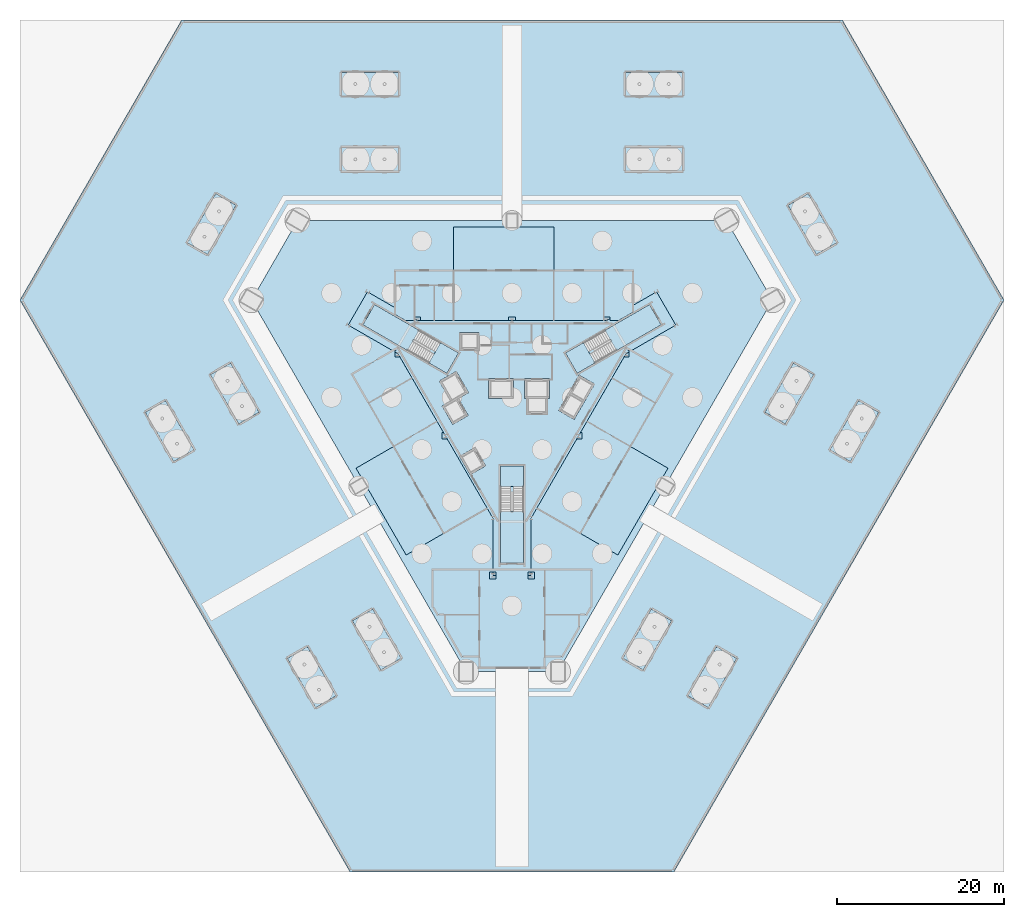
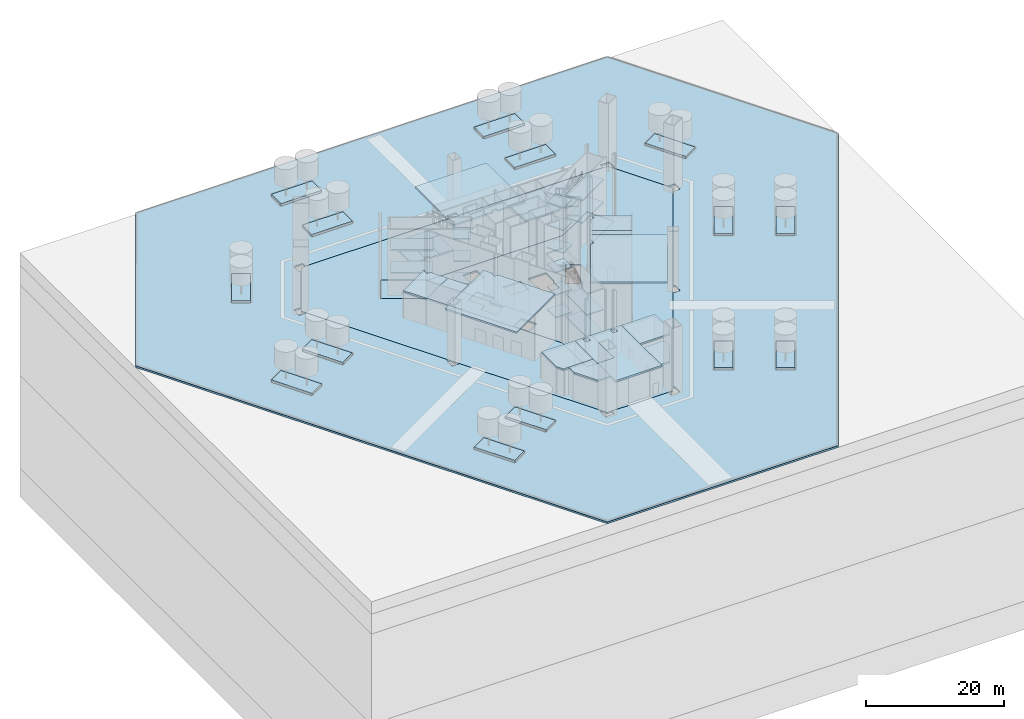
# One storey, part 3 of 22: 50 slabs, 3 elements without a shape of their own.
"""IFC4 building model written with IfcOpenShell, lengths in metres."""

from ifc_helpers import new_model, si_unit, direction, frame, origin, place, context, subcontext, project, spatial, polyline, outline, extrude, material, layer, layer_set, type_object, element, aggregate, save


model = new_model("IFC4")

# Units and contexts
model_context = context("Model", 3, precision=1e-05, world=origin(), true_north=direction((0.0, 1.0)))
body_context = subcontext(model_context, "Body", "Model", "MODEL_VIEW")
ifc_project = project(units=[si_unit("LENGTHUNIT", "METRE"), si_unit("AREAUNIT", "SQUARE_METRE"), si_unit("VOLUMEUNIT", "CUBIC_METRE"), si_unit("PLANEANGLEUNIT", "RADIAN"), si_unit("MASSUNIT", "GRAM", prefix="KILO")], contexts=[model_context])

# Site, building, storey
site_placement = place(None, origin())
site = spatial("IfcSite", under=ifc_project, at=site_placement, CompositionType="ELEMENT")
building_placement = place(site_placement, origin())
building = spatial("IfcBuilding", under=site, at=building_placement, Name="Verrane Prism Tower", CompositionType="ELEMENT")
storey_placement = place(building_placement, origin())
storey = spatial("IfcBuildingStorey", under=building, at=storey_placement, Name="L00", CompositionType="ELEMENT", Elevation=0.0)

# Slabs
ifc_material_1 = material(Name="Concrete C40/50", Category="concrete")
ifc_layer_1 = layer(ifc_material_1, 0.300048828125)
ifc_layer_set_1 = layer_set([ifc_layer_1], Name="Core ground slab 300 concrete C40/50")
slab_type_1 = type_object("IfcSlabType", Name="Core ground slab 300 concrete C40/50", PredefinedType="BASESLAB", material=ifc_layer_set_1)
slab_1_placement = place(storey_placement, frame((0.0, 0.0, -0.300048828125)))
element("IfcSlab", 1, at=slab_1_placement, inside=storey, type_object=slab_type_1, Name="Core ground slab L00", PredefinedType="BASESLAB", context=body_context, shape_type="SweptSolid", body=[
    extrude(outline(polyline([(19.60009765625, 8.659912109375), (17.300048828125, 12.639892578125), (11.330078125, 9.199951171875), (0.0, 9.199951171875), (-11.330078125, 9.199951171875), (-17.300048828125, 12.639892578125), (-19.60009765625, 8.659912109375), (-13.6298828125, 5.219970703125), (-7.969970703125, -4.60009765625), (-2.300048828125, -14.419921875), (-2.300048828125, -21.300048828125), (2.300048828125, -21.300048828125), (2.300048828125, -14.419921875), (7.969970703125, -4.60009765625), (13.6298828125, 5.219970703125), (19.60009765625, 8.659912109375)]), holes=[polyline([(-4.4150390625, -5.972900390625), (-3.139892578125, -8.180908203125), (-5.001953125, -9.256103515625), (-6.277099609375, -7.048095703125), (-4.4150390625, -5.972900390625)]), polyline([(-6.284912109375, 5.610107421875), (-6.284912109375, 7.760009765625), (-3.93505859375, 7.760009765625), (-3.93505859375, 5.610107421875), (-6.284912109375, 5.610107421875)]), polyline([(4.27490234375, -2.050048828125), (1.72509765625, -2.050048828125), (1.72509765625, -0.10009765625), (1.52490234375, -0.10009765625), (1.52490234375, 2.25), (4.47509765625, 2.25), (4.47509765625, -0.10009765625), (4.27490234375, -0.10009765625), (4.27490234375, -2.050048828125)]), polyline([(7.43798828125, -2.636962890625), (5.575927734375, -1.56201171875), (8.02587890625, 2.680908203125), (9.887939453125, 1.60595703125), (7.43798828125, -2.636962890625)]), polyline([(0.1650390625, 2.25), (0.1650390625, -0.10009765625), (-2.784912109375, -0.10009765625), (-2.784912109375, 2.25), (0.1650390625, 2.25)]), polyline([(-5.23095703125, -2.159912109375), (-7.093017578125, -3.235107421875), (-8.367919921875, -1.02587890625), (-7.3291015625, -0.426025390625), (-8.7041015625, 1.955078125), (-6.66796875, 3.1298828125), (-5.193115234375, 0.574951171875), (-6.406005859375, -0.125), (-5.23095703125, -2.159912109375)])]), origin(), (0.0, 0.0, 1.0), 0.300048828125),
])
ifc_material_2 = material(Name="Concrete C35/45", Category="concrete")
ifc_layer_2 = layer(ifc_material_2, 0.300048828125)
ifc_layer_set_2 = layer_set([ifc_layer_2], Name="Ground slab")
slab_type_2 = type_object("IfcSlabType", Name="Ground slab", PredefinedType="BASESLAB", material=ifc_layer_set_2)
slab_2_placement = place(storey_placement, frame((0.0, 0.0, -0.300048828125)))
element("IfcSlab", 2, at=slab_2_placement, inside=storey, type_object=slab_type_2, Name="Ground slab L00", PredefinedType="BASESLAB", context=body_context, shape_type="SweptSolid", body=[
    extrude(outline(polyline([(5.5, -32.813720703125), (-5.5, -32.813720703125), (-31.16748046875, 11.643798828125), (-25.66748046875, 21.169921875), (25.66748046875, 21.169921875), (31.16748046875, 11.643798828125), (5.5, -32.813720703125)]), holes=[polyline([(19.60009765625, 8.659912109375), (17.300048828125, 12.639892578125), (11.330078125, 9.199951171875), (0.0, 9.199951171875), (-11.330078125, 9.199951171875), (-17.300048828125, 12.639892578125), (-19.60009765625, 8.659912109375), (-13.6298828125, 5.219970703125), (-7.969970703125, -4.60009765625), (-2.300048828125, -14.419921875), (-2.300048828125, -21.300048828125), (2.300048828125, -21.300048828125), (2.300048828125, -14.419921875), (7.969970703125, -4.60009765625), (13.6298828125, 5.219970703125), (19.60009765625, 8.659912109375)])]), origin(), (0.0, 0.0, 1.0), 0.300048828125),
])
ifc_material_3 = material(Name="Topsoil", Category="other")
ifc_layer_3 = layer(ifc_material_3, 0.39990234375)
ifc_layer_set_3 = layer_set([ifc_layer_3], Name="PS-400 planting soil bed")
slab_type_3 = type_object("IfcSlabType", Name="PS-400 planting soil bed", PredefinedType="USERDEFINED", material=ifc_layer_set_3)
slab_3_placement = place(storey_placement, origin())
element("IfcSlab", 3, at=slab_3_placement, inside=storey, type_object=slab_type_3, Name="Planting bed 1", ObjectType="PLANTING BED", PredefinedType="USERDEFINED", context=body_context, shape_type="SweptSolid", body=[
    extrude(outline(polyline([(20.39990234375, 29.89990234375), (13.60009765625, 29.89990234375), (13.60009765625, 27.10009765625), (20.39990234375, 27.10009765625), (20.39990234375, 29.89990234375)])), origin(), (0.0, 0.0, 1.0), 0.39990234375),
])
slab_4_placement = place(storey_placement, origin())
element("IfcSlab", 4, at=slab_4_placement, inside=storey, type_object=slab_type_3, Name="Planting bed 2", ObjectType="PLANTING BED", PredefinedType="USERDEFINED", context=body_context, shape_type="SweptSolid", body=[
    extrude(outline(polyline([(-13.60009765625, 29.89990234375), (-20.39990234375, 29.89990234375), (-20.39990234375, 27.10009765625), (-13.60009765625, 27.10009765625), (-13.60009765625, 29.89990234375)])), origin(), (0.0, 0.0, 1.0), 0.39990234375),
])
slab_5_placement = place(storey_placement, origin())
element("IfcSlab", 5, at=slab_5_placement, inside=storey, type_object=slab_type_3, Name="Planting bed 3", ObjectType="PLANTING BED", PredefinedType="USERDEFINED", context=body_context, shape_type="SweptSolid", body=[
    extrude(outline(polyline([(20.39990234375, 38.89990234375), (13.60009765625, 38.89990234375), (13.60009765625, 36.10009765625), (20.39990234375, 36.10009765625), (20.39990234375, 38.89990234375)])), origin(), (0.0, 0.0, 1.0), 0.39990234375),
])
slab_6_placement = place(storey_placement, origin())
element("IfcSlab", 6, at=slab_6_placement, inside=storey, type_object=slab_type_3, Name="Planting bed 4", ObjectType="PLANTING BED", PredefinedType="USERDEFINED", context=body_context, shape_type="SweptSolid", body=[
    extrude(outline(polyline([(-13.60009765625, 38.89990234375), (-20.39990234375, 38.89990234375), (-20.39990234375, 36.10009765625), (-13.60009765625, 36.10009765625), (-13.60009765625, 38.89990234375)])), origin(), (0.0, 0.0, 1.0), 0.39990234375),
])
slab_7_placement = place(storey_placement, origin())
element("IfcSlab", 7, at=slab_7_placement, inside=storey, type_object=slab_type_3, Name="Planting bed 5", ObjectType="PLANTING BED", PredefinedType="USERDEFINED", context=body_context, shape_type="SweptSolid", body=[
    extrude(outline(polyline([(-36.09423828125, 2.716796875), (-32.694091796875, -3.172119140625), (-30.269287109375, -1.772216796875), (-33.669189453125, 4.116943359375), (-36.09423828125, 2.716796875)])), origin(), (0.0, 0.0, 1.0), 0.39990234375),
])
slab_8_placement = place(storey_placement, origin())
element("IfcSlab", 8, at=slab_8_placement, inside=storey, type_object=slab_type_3, Name="Planting bed 6", ObjectType="PLANTING BED", PredefinedType="USERDEFINED", context=body_context, shape_type="SweptSolid", body=[
    extrude(outline(polyline([(-19.09423828125, -26.727783203125), (-15.694091796875, -32.616943359375), (-13.269287109375, -31.216796875), (-16.669189453125, -25.327880859375), (-19.09423828125, -26.727783203125)])), origin(), (0.0, 0.0, 1.0), 0.39990234375),
])
slab_9_placement = place(storey_placement, origin())
element("IfcSlab", 9, at=slab_9_placement, inside=storey, type_object=slab_type_3, Name="Planting bed 7", ObjectType="PLANTING BED", PredefinedType="USERDEFINED", context=body_context, shape_type="SweptSolid", body=[
    extrude(outline(polyline([(-43.888427734375, -1.783203125), (-40.48828125, -7.672119140625), (-38.0634765625, -6.272216796875), (-41.46337890625, -0.383056640625), (-43.888427734375, -1.783203125)])), origin(), (0.0, 0.0, 1.0), 0.39990234375),
])
slab_10_placement = place(storey_placement, origin())
element("IfcSlab", 10, at=slab_10_placement, inside=storey, type_object=slab_type_3, Name="Planting bed 8", ObjectType="PLANTING BED", PredefinedType="USERDEFINED", context=body_context, shape_type="SweptSolid", body=[
    extrude(outline(polyline([(-26.888427734375, -31.227783203125), (-23.48828125, -37.116943359375), (-21.0634765625, -35.716796875), (-24.46337890625, -29.827880859375), (-26.888427734375, -31.227783203125)])), origin(), (0.0, 0.0, 1.0), 0.39990234375),
])
slab_11_placement = place(storey_placement, origin())
element("IfcSlab", 11, at=slab_11_placement, inside=storey, type_object=slab_type_3, Name="Planting bed 9", ObjectType="PLANTING BED", PredefinedType="USERDEFINED", context=body_context, shape_type="SweptSolid", body=[
    extrude(outline(polyline([(15.694091796875, -32.616943359375), (19.09423828125, -26.727783203125), (16.669189453125, -25.327880859375), (13.269287109375, -31.216796875), (15.694091796875, -32.616943359375)])), origin(), (0.0, 0.0, 1.0), 0.39990234375),
])
slab_12_placement = place(storey_placement, origin())
element("IfcSlab", 12, at=slab_12_placement, inside=storey, type_object=slab_type_3, Name="Planting bed 10", ObjectType="PLANTING BED", PredefinedType="USERDEFINED", context=body_context, shape_type="SweptSolid", body=[
    extrude(outline(polyline([(32.694091796875, -3.172119140625), (36.09423828125, 2.716796875), (33.669189453125, 4.116943359375), (30.269287109375, -1.772216796875), (32.694091796875, -3.172119140625)])), origin(), (0.0, 0.0, 1.0), 0.39990234375),
])
slab_13_placement = place(storey_placement, origin())
element("IfcSlab", 13, at=slab_13_placement, inside=storey, type_object=slab_type_3, Name="Planting bed 11", ObjectType="PLANTING BED", PredefinedType="USERDEFINED", context=body_context, shape_type="SweptSolid", body=[
    extrude(outline(polyline([(23.48828125, -37.116943359375), (26.888427734375, -31.227783203125), (24.46337890625, -29.827880859375), (21.0634765625, -35.716796875), (23.48828125, -37.116943359375)])), origin(), (0.0, 0.0, 1.0), 0.39990234375),
])
slab_14_placement = place(storey_placement, origin())
element("IfcSlab", 14, at=slab_14_placement, inside=storey, type_object=slab_type_3, Name="Planting bed 12", ObjectType="PLANTING BED", PredefinedType="USERDEFINED", context=body_context, shape_type="SweptSolid", body=[
    extrude(outline(polyline([(40.48828125, -7.672119140625), (43.888427734375, -1.783203125), (41.46337890625, -0.383056640625), (38.0634765625, -6.272216796875), (40.48828125, -7.672119140625)])), origin(), (0.0, 0.0, 1.0), 0.39990234375),
])
slab_15_placement = place(storey_placement, origin())
element("IfcSlab", 15, at=slab_15_placement, inside=storey, type_object=slab_type_3, Name="Planting bed 13", ObjectType="PLANTING BED", PredefinedType="USERDEFINED", context=body_context, shape_type="SweptSolid", body=[
    extrude(outline(polyline([(38.8525390625, 18.505615234375), (35.452392578125, 24.39453125), (33.027587890625, 22.994384765625), (36.427490234375, 17.10546875), (38.8525390625, 18.505615234375)])), origin(), (0.0, 0.0, 1.0), 0.39990234375),
])
slab_16_placement = place(storey_placement, origin())
element("IfcSlab", 16, at=slab_16_placement, inside=storey, type_object=slab_type_3, Name="Planting bed 14", ObjectType="PLANTING BED", PredefinedType="USERDEFINED", context=body_context, shape_type="SweptSolid", body=[
    extrude(outline(polyline([(-35.452392578125, 24.39453125), (-38.8525390625, 18.505615234375), (-36.427490234375, 17.10546875), (-33.027587890625, 22.994384765625), (-35.452392578125, 24.39453125)])), origin(), (0.0, 0.0, 1.0), 0.39990234375),
])
ifc_material_4 = material(Name="Granite paving", Category="masonry")
ifc_layer_4 = layer(ifc_material_4, 0.300048828125)
ifc_layer_set_4 = layer_set([ifc_layer_4], Name="PV-300 granite plaza paving")
slab_type_4 = type_object("IfcSlabType", Name="PV-300 granite plaza paving", PredefinedType="USERDEFINED", material=ifc_layer_set_4)
slab_17_placement = place(storey_placement, frame((0.0, 0.0, -0.300048828125)))
element("IfcSlab", 17, at=slab_17_placement, inside=storey, type_object=slab_type_4, Name="Plaza paving", ObjectType="PLAZA PAVING", PredefinedType="USERDEFINED", context=body_context, shape_type="SweptSolid", body=[
    extrude(outline(polyline([(19.35595703125, -56.81396484375), (58.8798828125, 11.64404296875), (39.52392578125, 45.169921875), (-39.52392578125, 45.169921875), (-58.8798828125, 11.64404296875), (-19.35595703125, -56.81396484375), (19.35595703125, -56.81396484375)]), holes=[polyline([(0.77001953125, 21.93994140625), (-0.77001953125, 21.93994140625), (-0.77001953125, 21.169921875), (-24.89990234375, 21.169921875), (-24.89990234375, 21.93994140625), (-26.43994140625, 21.93994140625), (-26.43994140625, 20.39990234375), (-26.112060546875, 20.39990234375), (-30.72509765625, 12.409912109375), (-31.93994140625, 12.409912109375), (-31.93994140625, 10.8701171875), (-30.720947265625, 10.8701171875), (-18.77490234375, -9.820068359375), (-19.10009765625, -9.820068359375), (-19.10009765625, -11.360107421875), (-17.885986328125, -11.360107421875), (-5.947021484375, -32.0400390625), (-6.27001953125, -32.0400390625), (-6.27001953125, -33.580078125), (-4.72998046875, -33.580078125), (-4.72998046875, -32.81396484375), (4.72998046875, -32.81396484375), (4.72998046875, -33.580078125), (6.27001953125, -33.580078125), (6.27001953125, -32.0400390625), (5.947021484375, -32.0400390625), (17.885986328125, -11.360107421875), (19.10009765625, -11.360107421875), (19.10009765625, -9.820068359375), (18.77490234375, -9.820068359375), (30.720947265625, 10.8701171875), (31.93994140625, 10.8701171875), (31.93994140625, 12.409912109375), (30.72509765625, 12.409912109375), (26.112060546875, 20.39990234375), (26.43994140625, 20.39990234375), (26.43994140625, 21.93994140625), (24.89990234375, 21.93994140625), (24.89990234375, 21.169921875), (0.77001953125, 21.169921875), (0.77001953125, 21.93994140625)])]), origin(), (0.0, 0.0, 1.0), 0.300048828125),
])
ifc_material_5 = material(Name="Concrete C32/40", Category="concrete")
ifc_layer_5 = layer(ifc_material_5, 0.300048828125)
ifc_layer_set_5 = layer_set([ifc_layer_5], Name="RS-300 roof slab over ground floor rooms")
slab_type_5 = type_object("IfcSlabType", Name="RS-300 roof slab over ground floor rooms", PredefinedType="ROOF", material=ifc_layer_set_5)
slab_18_placement = place(storey_placement, frame((0.0, 0.0, 3.60009765625)))
element("IfcSlab", 18, at=slab_18_placement, inside=storey, type_object=slab_type_5, Name="Roof over Public WC Lobby", PredefinedType="ROOF", context=body_context, shape_type="SweptSolid", body=[
    extrude(outline(polyline([(-7.0, 15.199951171875), (-14.0, 15.199951171875), (-14.0, 13.39990234375), (-7.0, 13.39990234375), (-7.0, 15.199951171875)])), origin(), (0.0, 0.0, 1.0), 0.2998046875),
])
slab_19_placement = place(storey_placement, frame((0.0, 0.0, 3.60009765625)))
element("IfcSlab", 19, at=slab_19_placement, inside=storey, type_object=slab_type_5, Name="Roof over Public Men's WC", PredefinedType="ROOF", context=body_context, shape_type="SweptSolid", body=[
    extrude(outline(polyline([(-11.669921875, 13.39990234375), (-14.0, 13.39990234375), (-14.0, 9.930908203125), (-12.735107421875, 9.199951171875), (-11.72998046875, 9.199951171875), (-11.72998046875, 9.60009765625), (-11.669921875, 9.60009765625), (-11.669921875, 13.39990234375)])), origin(), (0.0, 0.0, 1.0), 0.2998046875),
])
slab_20_placement = place(storey_placement, frame((0.0, 0.0, 3.60009765625)))
element("IfcSlab", 20, at=slab_20_placement, inside=storey, type_object=slab_type_5, Name="Roof over Public Women's WC", PredefinedType="ROOF", context=body_context, shape_type="SweptSolid", body=[
    extrude(outline(polyline([(-9.330078125, 13.39990234375), (-11.669921875, 13.39990234375), (-11.669921875, 9.60009765625), (-10.929931640625, 9.60009765625), (-10.929931640625, 9.199951171875), (-9.330078125, 9.199951171875), (-9.330078125, 13.39990234375)])), origin(), (0.0, 0.0, 1.0), 0.2998046875),
])
slab_21_placement = place(storey_placement, frame((0.0, 0.0, 3.60009765625)))
element("IfcSlab", 21, at=slab_21_placement, inside=storey, type_object=slab_type_5, Name="Roof over Accessible WC", PredefinedType="ROOF", context=body_context, shape_type="SweptSolid", body=[
    extrude(outline(polyline([(-7.0, 13.39990234375), (-9.330078125, 13.39990234375), (-9.330078125, 9.199951171875), (-7.0, 9.199951171875), (-7.0, 13.39990234375)])), origin(), (0.0, 0.0, 1.0), 0.2998046875),
])
slab_22_placement = place(storey_placement, frame((0.0, 0.0, 8.0)))
element("IfcSlab", 22, at=slab_22_placement, inside=storey, type_object=slab_type_5, Name="Roof and canopy over Retail Entrance Lobby", PredefinedType="ROOF", context=body_context, shape_type="SweptSolid", body=[
    extrude(outline(polyline([(5.0, 9.199951171875), (5.0, 15.199951171875), (5.0, 20.39990234375), (-7.0, 20.39990234375), (-7.0, 15.199951171875), (-7.0, 9.199951171875), (-0.39990234375, 9.199951171875), (-0.39990234375, 9.60009765625), (0.39990234375, 9.60009765625), (0.39990234375, 9.199951171875), (5.0, 9.199951171875)])), origin(), (0.0, 0.0, 1.0), 0.300048828125),
])
slab_23_placement = place(storey_placement, frame((0.0, 0.0, 4.5)))
element("IfcSlab", 23, at=slab_23_placement, inside=storey, type_object=slab_type_5, Name="Roof over Fire Command Room", PredefinedType="ROOF", context=body_context, shape_type="SweptSolid", body=[
    extrude(outline(polyline([(11.0, 15.199951171875), (5.0, 15.199951171875), (5.0, 9.199951171875), (10.929931640625, 9.199951171875), (10.929931640625, 9.60009765625), (11.0, 9.60009765625), (11.0, 15.199951171875)])), origin(), (0.0, 0.0, 1.0), 0.300048828125),
])
slab_24_placement = place(storey_placement, frame((0.0, 0.0, 4.5)))
element("IfcSlab", 24, at=slab_24_placement, inside=storey, type_object=slab_type_5, Name="Roof over Security Office", PredefinedType="ROOF", context=body_context, shape_type="SweptSolid", body=[
    extrude(outline(polyline([(14.5, 15.199951171875), (11.0, 15.199951171875), (11.0, 9.60009765625), (11.72998046875, 9.60009765625), (11.72998046875, 9.199951171875), (12.735107421875, 9.199951171875), (14.5, 10.218994140625), (14.5, 15.199951171875)])), origin(), (0.0, 0.0, 1.0), 0.300048828125),
])
slab_25_placement = place(storey_placement, frame((0.0, 0.0, 8.0)))
element("IfcSlab", 25, at=slab_25_placement, inside=storey, type_object=slab_type_5, Name="Roof and canopy over Hotel Lobby", PredefinedType="ROOF", context=body_context, shape_type="SweptSolid", body=[
    extrude(outline(polyline([(2.968017578125, -13.260009765625), (8.1640625, -16.260009765625), (12.6669921875, -18.860107421875), (17.7099609375, -10.1259765625), (17.7099609375, -9.969970703125), (17.800048828125, -9.969970703125), (18.6669921875, -8.468017578125), (14.1640625, -5.867919921875), (8.967041015625, -2.867919921875), (8.197998046875, -4.199951171875), (8.3701171875, -4.199951171875), (8.3701171875, -5.0), (7.736083984375, -5.0), (2.968017578125, -13.260009765625)])), origin(), (0.0, 0.0, 1.0), 0.300048828125),
])
slab_26_placement = place(storey_placement, frame((0.0, 0.0, 4.5)))
element("IfcSlab", 26, at=slab_26_placement, inside=storey, type_object=slab_type_5, Name="Roof over Hotel Reception Office", PredefinedType="ROOF", context=body_context, shape_type="SweptSolid", body=[
    extrude(outline(polyline([(14.1640625, -5.867919921875), (17.1640625, -0.672119140625), (11.967041015625, 2.327880859375), (8.967041015625, -2.867919921875), (14.1640625, -5.867919921875)])), origin(), (0.0, 0.0, 1.0), 0.300048828125),
])
slab_27_placement = place(storey_placement, frame((0.0, 0.0, 4.5)))
element("IfcSlab", 27, at=slab_27_placement, inside=storey, type_object=slab_type_5, Name="Roof over Luggage Store", PredefinedType="ROOF", context=body_context, shape_type="SweptSolid", body=[
    extrude(outline(polyline([(17.1640625, -0.672119140625), (19.1640625, 2.7919921875), (13.967041015625, 5.7919921875), (13.867919921875, 5.6201171875), (14.030029296875, 5.6201171875), (14.030029296875, 4.820068359375), (13.406005859375, 4.820068359375), (12.35888671875, 3.006103515625), (11.967041015625, 2.327880859375), (17.1640625, -0.672119140625)])), origin(), (0.0, 0.0, 1.0), 0.300048828125),
])
slab_28_placement = place(storey_placement, frame((0.0, 0.0, 8.0)))
element("IfcSlab", 28, at=slab_28_placement, inside=storey, type_object=slab_type_5, Name="Roof and canopy over Residences Lobby", PredefinedType="ROOF", context=body_context, shape_type="SweptSolid", body=[
    extrude(outline(polyline([(-12.6669921875, -18.860107421875), (-8.1640625, -16.260009765625), (-2.968017578125, -13.260009765625), (-7.736083984375, -5.0), (-8.3701171875, -5.0), (-8.3701171875, -4.199951171875), (-8.197998046875, -4.199951171875), (-8.967041015625, -2.867919921875), (-14.1640625, -5.867919921875), (-18.6669921875, -8.468017578125), (-17.800048828125, -9.969970703125), (-17.7099609375, -9.969970703125), (-17.7099609375, -10.1259765625), (-12.6669921875, -18.860107421875)])), origin(), (0.0, 0.0, 1.0), 0.300048828125),
])
slab_29_placement = place(storey_placement, frame((0.0, 0.0, 4.5)))
element("IfcSlab", 29, at=slab_29_placement, inside=storey, type_object=slab_type_5, Name="Roof over Residences Concierge Office", PredefinedType="ROOF", context=body_context, shape_type="SweptSolid", body=[
    extrude(outline(polyline([(-17.1640625, -0.672119140625), (-14.1640625, -5.867919921875), (-8.967041015625, -2.867919921875), (-11.967041015625, 2.327880859375), (-17.1640625, -0.672119140625)])), origin(), (0.0, 0.0, 1.0), 0.300048828125),
])
slab_30_placement = place(storey_placement, frame((0.0, 0.0, 4.5)))
element("IfcSlab", 30, at=slab_30_placement, inside=storey, type_object=slab_type_5, Name="Roof over Parcel Room", PredefinedType="ROOF", context=body_context, shape_type="SweptSolid", body=[
    extrude(outline(polyline([(-19.1640625, 2.7919921875), (-17.1640625, -0.672119140625), (-11.967041015625, 2.327880859375), (-12.35888671875, 3.006103515625), (-13.406005859375, 4.820068359375), (-14.030029296875, 4.820068359375), (-14.030029296875, 5.6201171875), (-13.867919921875, 5.6201171875), (-13.967041015625, 5.7919921875), (-19.1640625, 2.7919921875)])), origin(), (0.0, 0.0, 1.0), 0.300048828125),
])
slab_31_placement = place(storey_placement, frame((0.0, 0.0, 4.5)))
element("IfcSlab", 31, at=slab_31_placement, inside=storey, type_object=slab_type_5, Name="Roof over Loading Dock", PredefinedType="ROOF", context=body_context, shape_type="SweptSolid", body=[
    extrude(outline(polyline([(3.89990234375, -32.364013671875), (3.89990234375, -20.60009765625), (-3.89990234375, -20.60009765625), (-3.89990234375, -32.364013671875), (3.89990234375, -32.364013671875)]), holes=[polyline([(-1.89990234375, -21.699951171875), (-1.89990234375, -20.89990234375), (-2.699951171875, -20.89990234375), (-2.699951171875, -21.699951171875), (-1.89990234375, -21.699951171875)]), polyline([(2.699951171875, -21.699951171875), (2.699951171875, -20.89990234375), (1.89990234375, -20.89990234375), (1.89990234375, -21.699951171875), (2.699951171875, -21.699951171875)])]), origin(), (0.0, 0.0, 1.0), 0.300048828125),
])
slab_32_placement = place(storey_placement, frame((0.0, 0.0, 4.5)))
element("IfcSlab", 32, at=slab_32_placement, inside=storey, type_object=slab_type_5, Name="Roof over Refuse Room", PredefinedType="ROOF", context=body_context, shape_type="SweptSolid", body=[
    extrude(outline(polyline([(-3.89990234375, -26.0), (-3.89990234375, -20.60009765625), (-9.5, -20.60009765625), (-9.5, -24.985107421875), (-8.9140625, -26.0), (-3.89990234375, -26.0)])), origin(), (0.0, 0.0, 1.0), 0.300048828125),
])
slab_33_placement = place(storey_placement, frame((0.0, 0.0, 4.5)))
element("IfcSlab", 33, at=slab_33_placement, inside=storey, type_object=slab_type_5, Name="Roof over Switch Room", PredefinedType="ROOF", context=body_context, shape_type="SweptSolid", body=[
    extrude(outline(polyline([(9.5, -20.60009765625), (3.89990234375, -20.60009765625), (3.89990234375, -26.0), (8.9140625, -26.0), (9.5, -24.985107421875), (9.5, -20.60009765625)])), origin(), (0.0, 0.0, 1.0), 0.300048828125),
])
slab_34_placement = place(storey_placement, frame((0.0, 0.0, 4.5)))
element("IfcSlab", 34, at=slab_34_placement, inside=storey, type_object=slab_type_5, Name="Roof over Fire Pump Room", PredefinedType="ROOF", context=body_context, shape_type="SweptSolid", body=[
    extrude(outline(polyline([(-3.89990234375, -31.0), (-3.89990234375, -26.0), (-8.0, -26.0), (-8.0, -27.583984375), (-6.028076171875, -31.0), (-3.89990234375, -31.0)])), origin(), (0.0, 0.0, 1.0), 0.300048828125),
])
slab_35_placement = place(storey_placement, frame((0.0, 0.0, 3.60009765625)))
element("IfcSlab", 35, at=slab_35_placement, inside=storey, type_object=slab_type_5, Name="Roof over Bicycle Store", PredefinedType="ROOF", context=body_context, shape_type="SweptSolid", body=[
    extrude(outline(polyline([(8.0, -26.0), (3.89990234375, -26.0), (3.89990234375, -31.0), (6.028076171875, -31.0), (8.0, -27.583984375), (8.0, -26.0)])), origin(), (0.0, 0.0, 1.0), 0.2998046875),
])

# Stair, slabs
ifc_material_6 = material(Name="Concrete C40/50", Category="concrete")
stair_type = type_object("IfcStairType", Name="Exit stair 1300 dog-leg precast concrete C40/50", PredefinedType="HALF_TURN_STAIR", material=ifc_material_6)
stair_1_placement = place(storey_placement, origin())
stair_1 = element("IfcStair", 36, at=stair_1_placement, inside=storey, type_object=stair_type, Name="Stair 1 L00", PredefinedType="HALF_TURN_STAIR")
ifc_material_7 = material(Name="Concrete C40/50", Category="concrete")
ifc_layer_6 = layer(ifc_material_7, 0.199951171875)
ifc_layer_set_6 = layer_set([ifc_layer_6], Name="Stair landing 200 precast concrete C40/50")
slab_type_6 = type_object("IfcSlabType", Name="Stair landing 200 precast concrete C40/50", PredefinedType="LANDING", material=ifc_layer_set_6)
slab_36_placement = place(storey_placement, frame((0.0, 0.0, 1.800048828125)))
slab_36 = element("IfcSlab", 37, at=slab_36_placement, type_object=slab_type_6, Name="Stair 1 landing 1", PredefinedType="LANDING", context=body_context, shape_type="SweptSolid", body=[
    extrude(outline(polyline([(8.549072265625, 6.552490234375), (6.4013671875, 5.3125), (7.801513671875, 2.887451171875), (9.94921875, 4.127685546875), (8.549072265625, 6.552490234375)])), origin(), (0.0, 0.0, 1.0), 0.199951171875),
])
slab_37_placement = place(storey_placement, frame((0.0, 0.0, 3.800048828125)))
slab_37 = element("IfcSlab", 38, at=slab_37_placement, type_object=slab_type_6, Name="Stair 1 landing 2", PredefinedType="LANDING", context=body_context, shape_type="SweptSolid", body=[
    extrude(outline(polyline([(16.447265625, 11.112548828125), (11.112548828125, 8.032470703125), (12.5126953125, 5.607666015625), (17.847412109375, 8.6875), (16.447265625, 11.112548828125)])), origin(), (0.0, 0.0, 1.0), 0.199951171875),
])
slab_38_placement = place(storey_placement, frame((0.0, 0.0, 5.800048828125)))
slab_38 = element("IfcSlab", 39, at=slab_38_placement, type_object=slab_type_6, Name="Stair 1 landing 3", PredefinedType="LANDING", context=body_context, shape_type="SweptSolid", body=[
    extrude(outline(polyline([(8.549072265625, 6.552490234375), (6.4013671875, 5.3125), (7.801513671875, 2.887451171875), (9.94921875, 4.127685546875), (8.549072265625, 6.552490234375)])), origin(), (0.0, 0.0, 1.0), 0.199951171875),
])
slab_39_placement = place(storey_placement, frame((0.0, 0.0, 7.800048828125)))
slab_39 = element("IfcSlab", 40, at=slab_39_placement, type_object=slab_type_6, Name="Stair 1 landing 4", PredefinedType="LANDING", context=body_context, shape_type="SweptSolid", body=[
    extrude(outline(polyline([(16.447265625, 11.112548828125), (11.112548828125, 8.032470703125), (12.5126953125, 5.607666015625), (17.847412109375, 8.6875), (16.447265625, 11.112548828125)])), origin(), (0.0, 0.0, 1.0), 0.199951171875),
])
slab_40_placement = place(storey_placement, frame((0.0, 0.0, 9.800048828125)))
slab_40 = element("IfcSlab", 41, at=slab_40_placement, type_object=slab_type_6, Name="Stair 1 landing 5", PredefinedType="LANDING", context=body_context, shape_type="SweptSolid", body=[
    extrude(outline(polyline([(8.549072265625, 6.552490234375), (6.4013671875, 5.3125), (7.801513671875, 2.887451171875), (9.94921875, 4.127685546875), (8.549072265625, 6.552490234375)])), origin(), (0.0, 0.0, 1.0), 0.199951171875),
])
aggregate(stair_1, [slab_36, slab_37, slab_38, slab_39, slab_40])

stair_2_placement = place(storey_placement, origin())
stair_2 = element("IfcStair", 42, at=stair_2_placement, inside=storey, type_object=stair_type, Name="Stair 2 L00", PredefinedType="HALF_TURN_STAIR")
slab_41_placement = place(storey_placement, frame((0.0, 0.0, 1.800048828125)))
slab_41 = element("IfcSlab", 43, at=slab_41_placement, type_object=slab_type_6, Name="Stair 2 landing 1", PredefinedType="LANDING", context=body_context, shape_type="SweptSolid", body=[
    extrude(outline(polyline([(-9.94921875, 4.127685546875), (-7.801513671875, 2.887451171875), (-6.4013671875, 5.3125), (-8.549072265625, 6.552490234375), (-9.94921875, 4.127685546875)])), origin(), (0.0, 0.0, 1.0), 0.199951171875),
])
slab_42_placement = place(storey_placement, frame((0.0, 0.0, 3.800048828125)))
slab_42 = element("IfcSlab", 44, at=slab_42_placement, type_object=slab_type_6, Name="Stair 2 landing 2", PredefinedType="LANDING", context=body_context, shape_type="SweptSolid", body=[
    extrude(outline(polyline([(-17.84716796875, 8.6875), (-12.5126953125, 5.607666015625), (-11.112548828125, 8.032470703125), (-16.447265625, 11.1123046875), (-17.84716796875, 8.6875)])), origin(), (0.0, 0.0, 1.0), 0.199951171875),
])
slab_43_placement = place(storey_placement, frame((0.0, 0.0, 5.800048828125)))
slab_43 = element("IfcSlab", 45, at=slab_43_placement, type_object=slab_type_6, Name="Stair 2 landing 3", PredefinedType="LANDING", context=body_context, shape_type="SweptSolid", body=[
    extrude(outline(polyline([(-9.94921875, 4.127685546875), (-7.801513671875, 2.887451171875), (-6.4013671875, 5.3125), (-8.549072265625, 6.552490234375), (-9.94921875, 4.127685546875)])), origin(), (0.0, 0.0, 1.0), 0.199951171875),
])
slab_44_placement = place(storey_placement, frame((0.0, 0.0, 7.800048828125)))
slab_44 = element("IfcSlab", 46, at=slab_44_placement, type_object=slab_type_6, Name="Stair 2 landing 4", PredefinedType="LANDING", context=body_context, shape_type="SweptSolid", body=[
    extrude(outline(polyline([(-17.84716796875, 8.6875), (-12.5126953125, 5.607666015625), (-11.112548828125, 8.032470703125), (-16.447265625, 11.1123046875), (-17.84716796875, 8.6875)])), origin(), (0.0, 0.0, 1.0), 0.199951171875),
])
slab_45_placement = place(storey_placement, frame((0.0, 0.0, 9.800048828125)))
slab_45 = element("IfcSlab", 47, at=slab_45_placement, type_object=slab_type_6, Name="Stair 2 landing 5", PredefinedType="LANDING", context=body_context, shape_type="SweptSolid", body=[
    extrude(outline(polyline([(-9.94921875, 4.127685546875), (-7.801513671875, 2.887451171875), (-6.4013671875, 5.3125), (-8.549072265625, 6.552490234375), (-9.94921875, 4.127685546875)])), origin(), (0.0, 0.0, 1.0), 0.199951171875),
])
aggregate(stair_2, [slab_41, slab_42, slab_43, slab_44, slab_45])

stair_3_placement = place(storey_placement, origin())
stair_3 = element("IfcStair", 48, at=stair_3_placement, inside=storey, type_object=stair_type, Name="Stair 3 L00", PredefinedType="HALF_TURN_STAIR")
slab_46_placement = place(storey_placement, frame((0.0, 0.0, 1.800048828125)))
slab_46 = element("IfcSlab", 49, at=slab_46_placement, type_object=slab_type_6, Name="Stair 3 landing 1", PredefinedType="LANDING", context=body_context, shape_type="SweptSolid", body=[
    extrude(outline(polyline([(1.39990234375, -10.679931640625), (1.39990234375, -8.199951171875), (-1.39990234375, -8.199951171875), (-1.39990234375, -10.679931640625), (1.39990234375, -10.679931640625)])), origin(), (0.0, 0.0, 1.0), 0.199951171875),
])
slab_47_placement = place(storey_placement, frame((0.0, 0.0, 3.800048828125)))
slab_47 = element("IfcSlab", 50, at=slab_47_placement, type_object=slab_type_6, Name="Stair 3 landing 2", PredefinedType="LANDING", context=body_context, shape_type="SweptSolid", body=[
    extrude(outline(polyline([(1.39990234375, -19.800048828125), (1.39990234375, -13.639892578125), (-1.39990234375, -13.639892578125), (-1.39990234375, -19.800048828125), (1.39990234375, -19.800048828125)])), origin(), (0.0, 0.0, 1.0), 0.199951171875),
])
slab_48_placement = place(storey_placement, frame((0.0, 0.0, 5.800048828125)))
slab_48 = element("IfcSlab", 51, at=slab_48_placement, type_object=slab_type_6, Name="Stair 3 landing 3", PredefinedType="LANDING", context=body_context, shape_type="SweptSolid", body=[
    extrude(outline(polyline([(1.39990234375, -10.679931640625), (1.39990234375, -8.199951171875), (-1.39990234375, -8.199951171875), (-1.39990234375, -10.679931640625), (1.39990234375, -10.679931640625)])), origin(), (0.0, 0.0, 1.0), 0.199951171875),
])
slab_49_placement = place(storey_placement, frame((0.0, 0.0, 7.800048828125)))
slab_49 = element("IfcSlab", 52, at=slab_49_placement, type_object=slab_type_6, Name="Stair 3 landing 4", PredefinedType="LANDING", context=body_context, shape_type="SweptSolid", body=[
    extrude(outline(polyline([(1.39990234375, -19.800048828125), (1.39990234375, -13.639892578125), (-1.39990234375, -13.639892578125), (-1.39990234375, -19.800048828125), (1.39990234375, -19.800048828125)])), origin(), (0.0, 0.0, 1.0), 0.199951171875),
])
slab_50_placement = place(storey_placement, frame((0.0, 0.0, 9.800048828125)))
slab_50 = element("IfcSlab", 53, at=slab_50_placement, type_object=slab_type_6, Name="Stair 3 landing 5", PredefinedType="LANDING", context=body_context, shape_type="SweptSolid", body=[
    extrude(outline(polyline([(1.39990234375, -10.679931640625), (1.39990234375, -8.199951171875), (-1.39990234375, -8.199951171875), (-1.39990234375, -10.679931640625), (1.39990234375, -10.679931640625)])), origin(), (0.0, 0.0, 1.0), 0.199951171875),
])
aggregate(stair_3, [slab_46, slab_47, slab_48, slab_49, slab_50])

save(model, "model.ifc")
